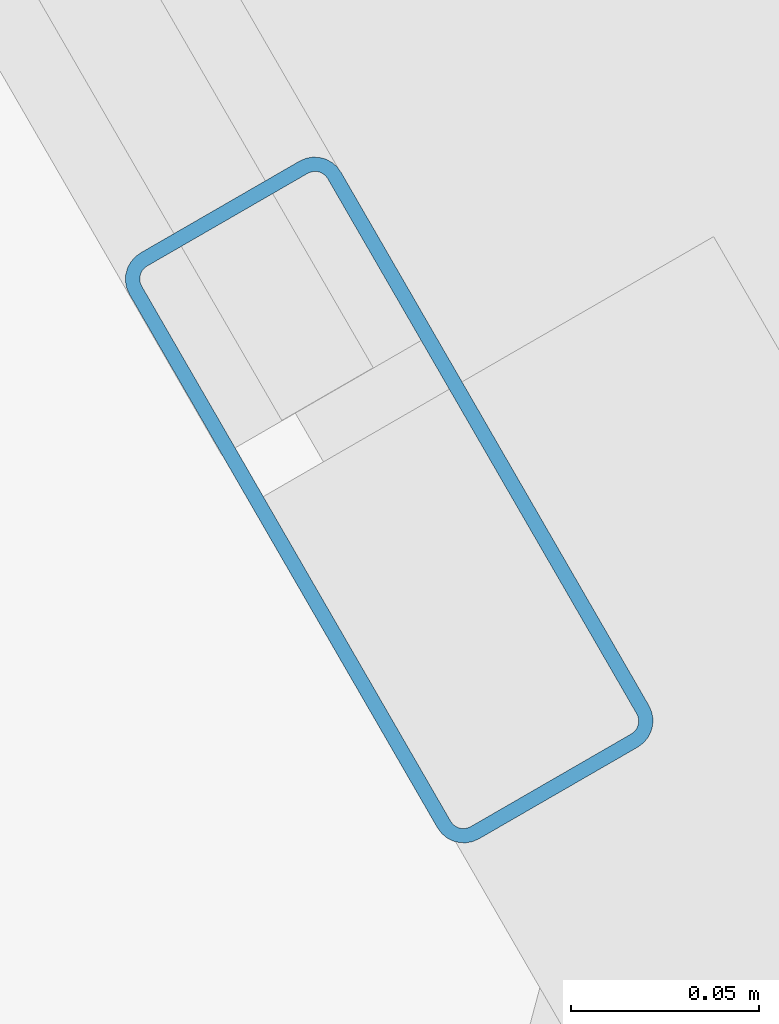
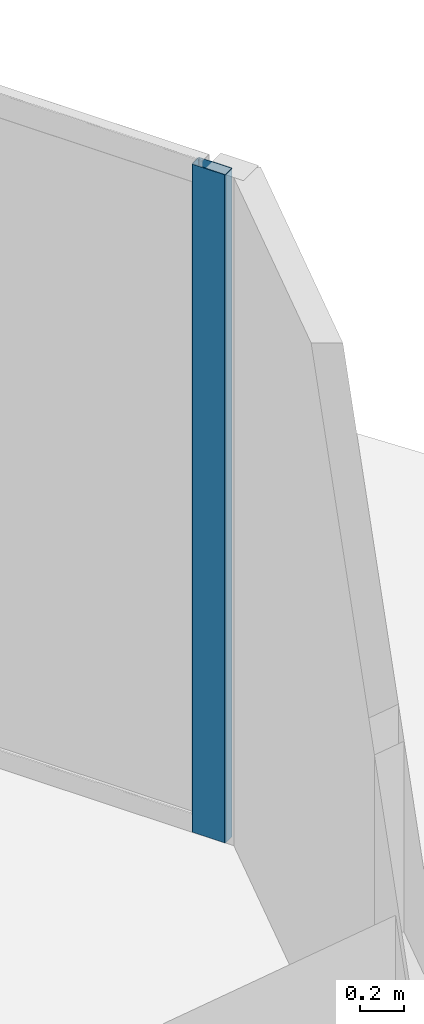
# One storey, part 18 of 26: 1 member, 1 element without a shape of its own.
"""IFC4 building model written with IfcOpenShell, lengths in metres."""

from ifc_helpers import new_model, si_unit, direction, frame, origin, origin_2d, place, context, subcontext, project, spatial, hollow_rectangle, extrude, source, transform, mapped, material, material_profile, profile_set, type_object, element, aggregate, save


model = new_model("IFC4")

# Units and contexts
model_context = context("Model", 3, precision=1e-05, world=origin(), true_north=direction((0.0, 1.0)))
body_context = subcontext(model_context, "Body", "Model", "MODEL_VIEW")
ifc_project = project(units=[si_unit("LENGTHUNIT", "METRE"), si_unit("AREAUNIT", "SQUARE_METRE"), si_unit("VOLUMEUNIT", "CUBIC_METRE"), si_unit("PLANEANGLEUNIT", "RADIAN"), si_unit("MASSUNIT", "GRAM", prefix="KILO")], contexts=[model_context])

# Site, building, storey
site_placement = place(None, origin())
site = spatial("IfcSite", under=ifc_project, at=site_placement, CompositionType="ELEMENT")
building_placement = place(site_placement, origin())
building = spatial("IfcBuilding", under=site, at=building_placement, Name="Torre Montelarca", CompositionType="ELEMENT")
storey_placement = place(building_placement, frame((0.0, 0.0, 100.0)))
storey = spatial("IfcBuildingStorey", under=building, at=storey_placement, Name="L22", CompositionType="ELEMENT", Elevation=100.0)

# Curtain wall, member
ifc_material_1 = material(Name="Insulated low-E laminated glass", Category="glass")
curtain_wall_type = type_object("IfcCurtainWallType", Name="CW-SYS-Z1", PredefinedType="USERDEFINED", material=ifc_material_1)
curtain_wall_placement = place(storey_placement, origin())
curtain_wall = element("IfcCurtainWall", 1, at=curtain_wall_placement, inside=storey, type_object=curtain_wall_type, Name="L22 Curtain Wall Run CW-T3-L22-E07-B1", ObjectType="UNITISED GLAZING", PredefinedType="USERDEFINED")
ifc_material_2 = material(Name="Anodised aluminium AA 6063-T6", Category="aluminium")
ifc_material_profile = material_profile(ifc_material_2, hollow_rectangle(XDim=0.06494140625, YDim=0.179931640625, WallThickness=0.00390625, InnerFilletRadius=0.00390625, OuterFilletRadius=0.008056640625, at=origin_2d()), Name="ALU65X180X4", Category="aluminium")
ifc_profile_set = profile_set([ifc_material_profile], Name="Anodised aluminium AA 6063-T6")
member_type = type_object("IfcMemberType", Name="CWM-ALU180", PredefinedType="MULLION", material=ifc_profile_set)
shared_shape = source(origin(), body_context, "Body", "SweptSolid", [
    extrude(hollow_rectangle(XDim=0.06494140625, YDim=0.179931640625, WallThickness=0.00390625, InnerFilletRadius=0.00390625, OuterFilletRadius=0.008056640625, at=origin_2d()), origin(), (0.0, 0.0, 1.0), 3.719970703125),
])
member_placement = place(storey_placement, frame((62.3740234375, 33.210693359375, 0.0), z_axis=(0.0, 0.0, 1.0), x_axis=(-0.866020776749, -0.500008014176, 0.0)))
member = element("IfcMember", 2, at=member_placement, type_object=member_type, Name="CW mullion 1", PredefinedType="MULLION", context=body_context, shape_type="MappedRepresentation", body=[
    mapped(shared_shape, transform((0.0, 0.0, 0.0), scale=1.0)),
])
aggregate(curtain_wall, [member])

save(model, "model.ifc")
